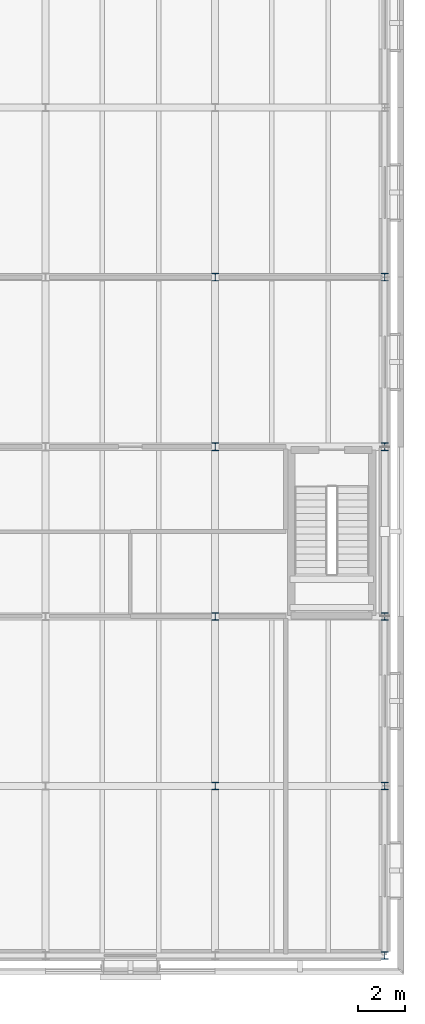
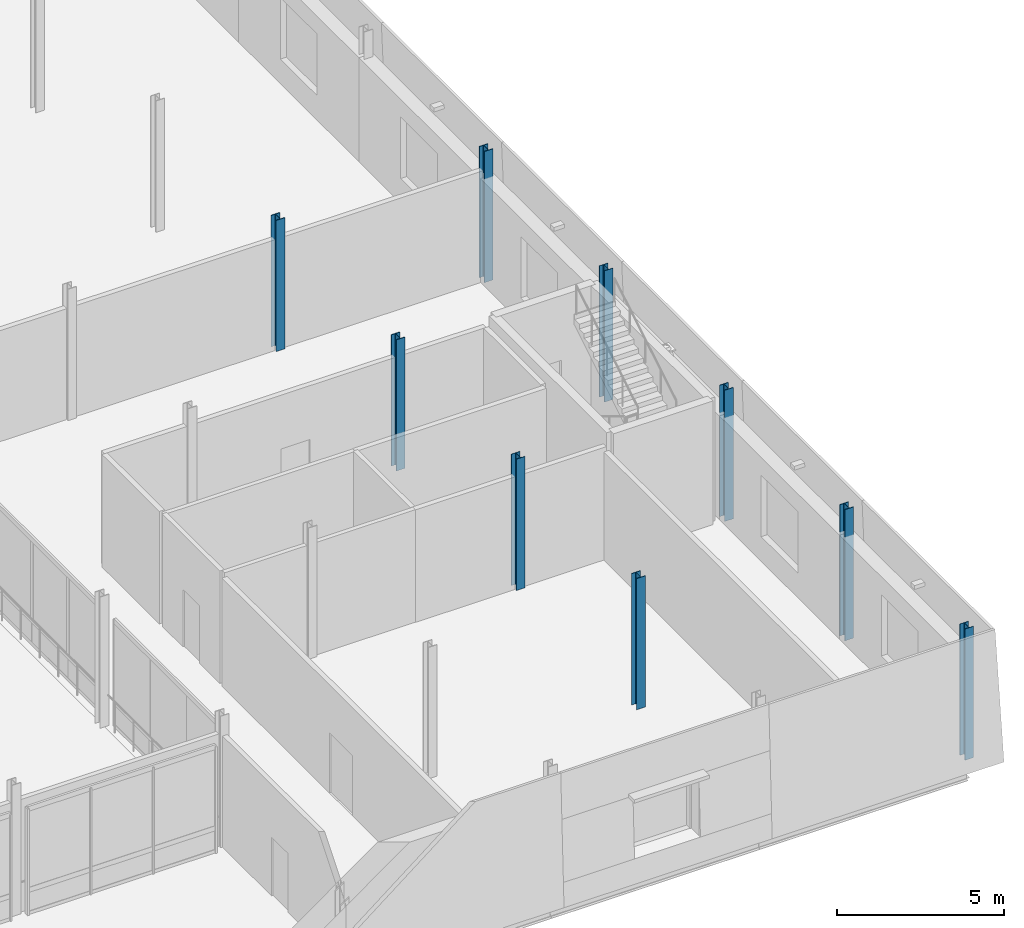
# One storey, part 17 of 121: 9 columns.
"""IFC4 building model written with IfcOpenShell, lengths in metres."""

from ifc_helpers import new_model, si_unit, direction, frame, origin, origin_2d, place, context, subcontext, project, spatial, i_section, extrude, material, material_profile, profile_set, type_object, element, save


model = new_model("IFC4")

# Units and contexts
model_context = context("Model", 3, precision=1e-05, world=origin(), true_north=direction((0.0, 1.0)))
body_context = subcontext(model_context, "Body", "Model", "MODEL_VIEW")
ifc_project = project(units=[si_unit("LENGTHUNIT", "METRE"), si_unit("AREAUNIT", "SQUARE_METRE"), si_unit("VOLUMEUNIT", "CUBIC_METRE"), si_unit("PLANEANGLEUNIT", "RADIAN"), si_unit("MASSUNIT", "GRAM", prefix="KILO")], contexts=[model_context])

# Site, building, storey
site_placement = place(None, origin())
site = spatial("IfcSite", under=ifc_project, at=site_placement, CompositionType="ELEMENT")
building_placement = place(site_placement, origin())
building = spatial("IfcBuilding", under=site, at=building_placement, Name="Narikvali Park Central Library", CompositionType="ELEMENT")
storey_placement = place(building_placement, frame((0.0, 0.0, 5.39990234375)))
storey = spatial("IfcBuildingStorey", under=building, at=storey_placement, Name="L01", CompositionType="ELEMENT", Elevation=5.39990234375)

# Columns
ifc_material = material(Name="Steel S355", Category="steel")
ifc_material_profile = material_profile(ifc_material, i_section(OverallWidth=0.300048828125, OverallDepth=0.320068359375, WebThickness=0.011474609375, FlangeThickness=0.0205078125, FilletRadius=0.027099609375, at=origin_2d()), Name="HEB 320")
ifc_profile_set = profile_set([ifc_material_profile], Name="Steel S355")
column_type = type_object("IfcColumnType", Name="Steel Column HEB320", PredefinedType="COLUMN", material=ifc_profile_set)
for number, where, z_axis, x_axis, name in (
    (1, (158.39990234375, 7.199951171875, 0.0), (0.0, 0.0, 1.0), (1.0, 0.0, 0.0), "V6 L01 Column (158.4,7.2)"),
    (2, (158.39990234375, 14.39990234375, 0.0), (0.0, 0.0, 1.0), (1.0, 0.0, 0.0), "V6 L01 Column (158.4,14.4)"),
    (3, (158.39990234375, 21.60009765625, 0.0), (0.0, 0.0, 1.0), (1.0, 0.0, 0.0), "V6 L01 Column (158.4,21.6)"),
    (4, (158.39990234375, 28.800048828125, 0.0), (0.0, 0.0, 1.0), (1.0, 0.0, 0.0), "V6 L01 Column (158.4,28.8)"),
    (5, (165.60009765625, 0.0, 0.0), (0.0, 0.0, 1.0), (1.0, 0.0, 0.0), "V6 L01 Column (165.6,0.0)"),
    (6, (165.60009765625, 7.199951171875, 0.0), (0.0, 0.0, 1.0), (1.0, 0.0, 0.0), "V6 L01 Column (165.6,7.2)"),
    (7, (165.60009765625, 14.39990234375, 0.0), (0.0, 0.0, 1.0), (1.0, 0.0, 0.0), "V6 L01 Column (165.6,14.4)"),
    (8, (165.60009765625, 21.60009765625, 0.0), (0.0, 0.0, 1.0), (1.0, 0.0, 0.0), "V6 L01 Column (165.6,21.6)"),
    (9, (165.60009765625, 28.800048828125, 0.0), (0.0, 0.0, 1.0), (1.0, 0.0, 0.0), "V6 L01 Column (165.6,28.8)"),
):
    element("IfcColumn", number, at=place(storey_placement, frame(where, z_axis=z_axis, x_axis=x_axis)), inside=storey, type_object=column_type, Name=name, PredefinedType="COLUMN", context=body_context, shape_type="SweptSolid", body=[
        extrude(i_section(OverallWidth=0.300048828125, OverallDepth=0.320068359375, WebThickness=0.011474609375, FlangeThickness=0.0205078125, FilletRadius=0.027099609375, at=origin_2d()), origin(), (0.0, 0.0, 1.0), 4.800048828125),
    ])

save(model, "model.ifc")
